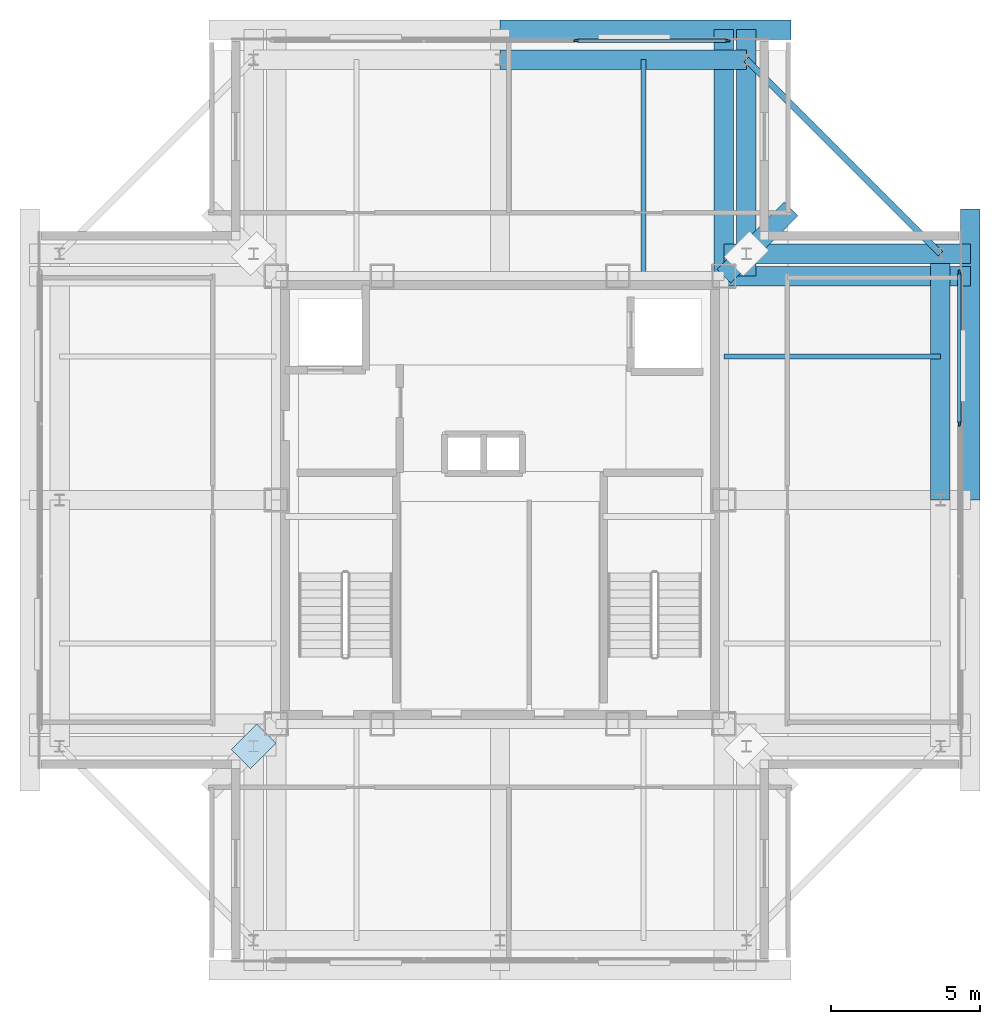
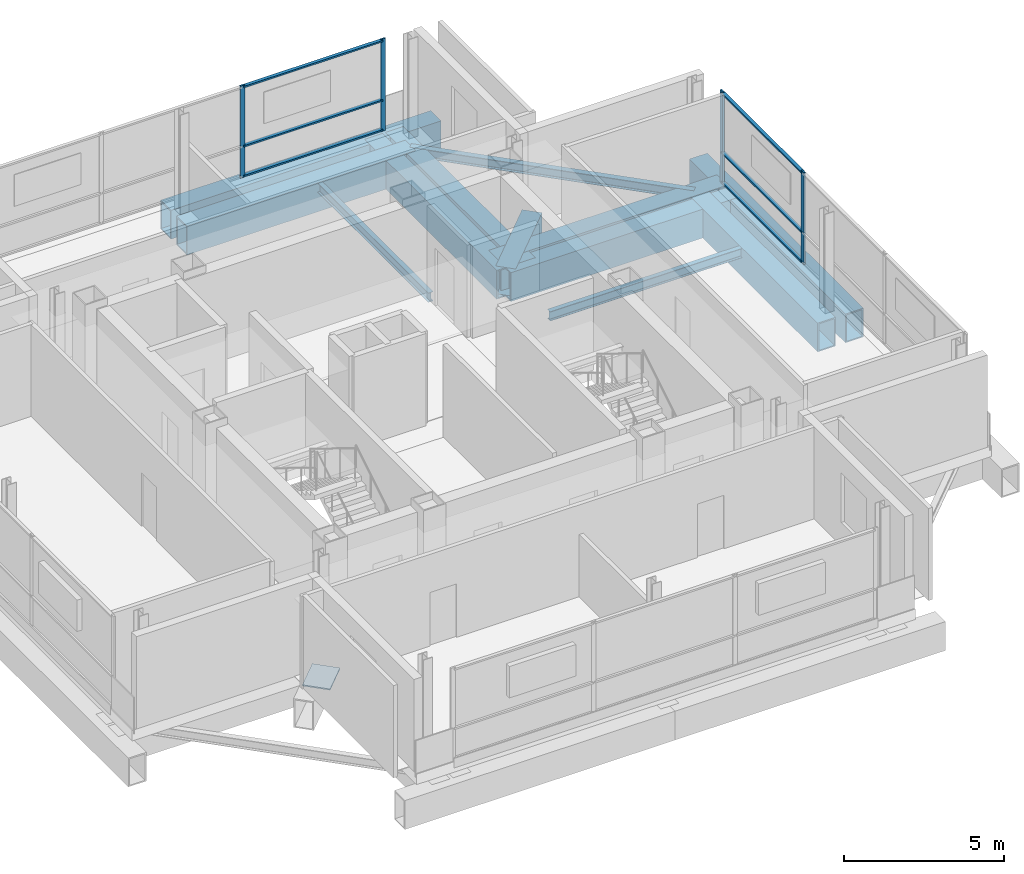
# One storey, part 5 of 10: 12 beams, 10 members, 1 plate, 2 elements without a shape of their own.
"""IFC4 building model written with IfcOpenShell, lengths in metres."""

from ifc_helpers import new_model, si_unit, direction, frame, origin, origin_2d, place, context, subcontext, project, spatial, rectangle, hollow_rectangle, i_section, extrude, material, layer, layer_set, material_profile, profile_set, type_object, element, aggregate, save


model = new_model("IFC4")

# Units and contexts
model_context = context("Model", 3, precision=1e-05, world=origin(), true_north=direction((0.0, 1.0)))
body_context = subcontext(model_context, "Body", "Model", "MODEL_VIEW")
ifc_project = project(units=[si_unit("LENGTHUNIT", "METRE"), si_unit("AREAUNIT", "SQUARE_METRE"), si_unit("VOLUMEUNIT", "CUBIC_METRE"), si_unit("PLANEANGLEUNIT", "RADIAN"), si_unit("MASSUNIT", "GRAM", prefix="KILO")], contexts=[model_context])

# Site, building, storey
site_placement = place(None, origin())
site = spatial("IfcSite", under=ifc_project, at=site_placement, CompositionType="ELEMENT")
building_placement = place(site_placement, origin())
building = spatial("IfcBuilding", under=site, at=building_placement, Name="Trevonay Congress Spire", CompositionType="ELEMENT")
storey_placement = place(building_placement, frame((0.0, 0.0, 316.0)))
storey = spatial("IfcBuildingStorey", under=building, at=storey_placement, Name="L83", CompositionType="ELEMENT", Elevation=316.0)

# Beams
ifc_material_1 = material(Name="Steel ASTM A572 Grade 50", Category="steel")
ifc_material_profile_1 = material_profile(ifc_material_1, hollow_rectangle(XDim=0.64990234375, YDim=1.10009765625, WallThickness=0.044921875, at=origin_2d()), Name="BOX 1100x650x45")
ifc_profile_set_1 = profile_set([ifc_material_profile_1], Name="Steel ASTM A572 Grade 50")
beam_type_1 = type_object("IfcBeamType", Name="BM-RING-BOX1100", PredefinedType="BEAM", material=ifc_profile_set_1)
for number, where, z_axis, x_axis, name in (
    (1, (0.0, 14.75, -0.949951171875), (1.0, 0.0, 0.0), (0.0, 1.0, 0.0), "L83 structural beam BM-L83-PN2"),
    (2, (14.75, 0.0, -0.949951171875), (0.0, 1.0, 0.0), (-1.0, 0.0, 0.0), "L83 structural beam BM-L83-PE2"),
):
    element("IfcBeam", number, at=place(storey_placement, frame(where, z_axis=z_axis, x_axis=x_axis)), inside=storey, type_object=beam_type_1, Name=name, PredefinedType="BEAM", context=body_context, shape_type="SweptSolid", body=[
        extrude(hollow_rectangle(XDim=0.64990234375, YDim=1.10009765625, WallThickness=0.044921875, at=origin_2d()), origin(), (0.0, 0.0, 1.0), 8.25),
    ])
for number, where, z_axis, x_axis, name in (
    (3, (0.0, 15.75, -0.949951171875), (1.0, 0.0, 0.0), (0.0, 1.0, 0.0), "L83 structural beam XOUT-L83-N1"),
    (4, (15.75, 0.0, -0.949951171875), (0.0, 1.0, 0.0), (-1.0, 0.0, 0.0), "L83 structural beam XOUT-L83-E1"),
):
    element("IfcBeam", number, at=place(storey_placement, frame(where, z_axis=z_axis, x_axis=x_axis)), inside=storey, type_object=beam_type_1, Name=name, PredefinedType="BEAM", context=body_context, shape_type="SweptSolid", body=[
        extrude(hollow_rectangle(XDim=0.64990234375, YDim=1.10009765625, WallThickness=0.044921875, at=origin_2d()), origin(), (0.0, 0.0, 1.0), 9.75),
    ])
ifc_material_profile_2 = material_profile(ifc_material_1, hollow_rectangle(XDim=0.64990234375, YDim=1.10009765625, WallThickness=0.044921875, at=origin_2d()), Name="BOX 1100x650x45")
ifc_profile_set_2 = profile_set([ifc_material_profile_2], Name="Steel ASTM A572 Grade 50")
beam_type_2 = type_object("IfcBeamType", Name="BM-XFER-BOX1100", PredefinedType="BEAM", material=ifc_profile_set_2)
beam_1_placement = place(storey_placement, frame((7.5, 7.5, -0.949951171875), z_axis=(0.707106781187, 0.707106781187, 0.0), x_axis=(-0.707106781187, 0.707106781187, 0.0)))
element("IfcBeam", 5, at=beam_1_placement, inside=storey, type_object=beam_type_2, Name="L83 structural beam BM-L83-CDNE", PredefinedType="BEAM", context=body_context, shape_type="SweptSolid", body=[
    extrude(hollow_rectangle(XDim=0.64990234375, YDim=1.10009765625, WallThickness=0.044921875, at=origin_2d()), origin(), (0.0, 0.0, 1.0), 3.181884765625),
])
for number, where, z_axis, x_axis, name in (
    (6, (7.5, 7.5, -0.949951171875), (1.0, 0.0, 0.0), (0.0, 1.0, 0.0), "L83 structural beam XSPN-L83-CX-NE"),
    (7, (7.5, 7.5, -0.949951171875), (0.0, 1.0, 0.0), (-1.0, 0.0, 0.0), "L83 structural beam XSPN-L83-CY-NE"),
    (8, (8.25, 7.5, -0.949951171875), (0.0, 1.0, 0.0), (-1.0, 0.0, 0.0), "L83 structural beam XFER-L83-N2"),
    (9, (7.5, 8.25, -0.949951171875), (1.0, 0.0, 0.0), (0.0, 1.0, 0.0), "L83 structural beam XFER-L83-E2"),
):
    element("IfcBeam", number, at=place(storey_placement, frame(where, z_axis=z_axis, x_axis=x_axis)), inside=storey, type_object=beam_type_2, Name=name, PredefinedType="BEAM", context=body_context, shape_type="SweptSolid", body=[
        extrude(hollow_rectangle(XDim=0.64990234375, YDim=1.10009765625, WallThickness=0.044921875, at=origin_2d()), origin(), (0.0, 0.0, 1.0), 8.25),
    ])

# Curtain wall, members
ifc_material_2 = material(Name="Pale Anodised Aluminium EN AW-6063-T6", Category="aluminium")
ifc_layer_1 = layer(ifc_material_2, 0.159912109375, Name="Pale Anodised Aluminium EN AW-6063-T6")
ifc_layer_set_1 = layer_set([ifc_layer_1], Name="Pale Anodised Aluminium EN AW-6063-T6")
curtain_wall_type = type_object("IfcCurtainWallType", Name="CW-SYS06-CROWN-PALE-METAL", PredefinedType="NOTDEFINED", material=ifc_layer_set_1)
curtain_wall_1_placement = place(storey_placement, origin())
curtain_wall_1 = element("IfcCurtainWall", 10, at=curtain_wall_1_placement, inside=storey, type_object=curtain_wall_type, Name="L83 N unitised curtain wall", PredefinedType="NOTDEFINED")
ifc_material_profile_3 = material_profile(ifc_material_2, rectangle(XDim=0.06005859375, YDim=0.159912109375, at=origin_2d()), Name="CW-MULLION-160-ALUMINIUM")
ifc_profile_set_3 = profile_set([ifc_material_profile_3], Name="Pale Anodised Aluminium EN AW-6063-T6")
member_type_1 = type_object("IfcMemberType", Name="CW-MULLION-160-ALUMINIUM", PredefinedType="MULLION", material=ifc_profile_set_3)
member_1_placement = place(storey_placement, frame((2.550048828125, 15.3798828125, 0.0), z_axis=(0.0, 0.0, 1.0), x_axis=(0.0, 1.0, 0.0)))
member_1 = element("IfcMember", 11, at=member_1_placement, type_object=member_type_1, Name="CW06 mullion 3", PredefinedType="MULLION", context=body_context, shape_type="SweptSolid", body=[
    extrude(rectangle(XDim=0.06005859375, YDim=0.159912109375, at=origin_2d()), origin(), (0.0, 0.0, 1.0), 3.52001953125),
])
member_2_placement = place(storey_placement, frame((7.6201171875, 15.3798828125, 0.0), z_axis=(0.0, 0.0, 1.0), x_axis=(0.0, 1.0, 0.0)))
member_2 = element("IfcMember", 12, at=member_2_placement, type_object=member_type_1, Name="CW06 mullion 4", PredefinedType="MULLION", context=body_context, shape_type="SweptSolid", body=[
    extrude(rectangle(XDim=0.06005859375, YDim=0.159912109375, at=origin_2d()), origin(), (0.0, 0.0, 1.0), 3.52001953125),
])

curtain_wall_2_placement = place(storey_placement, origin())
curtain_wall_2 = element("IfcCurtainWall", 13, at=curtain_wall_2_placement, inside=storey, type_object=curtain_wall_type, Name="L83 E unitised curtain wall", PredefinedType="NOTDEFINED")
member_3_placement = place(storey_placement, frame((15.3798828125, 2.550048828125, 0.0), z_axis=(0.0, 0.0, 1.0), x_axis=(-1.0, 0.0, 0.0)))
member_3 = element("IfcMember", 14, at=member_3_placement, type_object=member_type_1, Name="CW06 mullion 3", PredefinedType="MULLION", context=body_context, shape_type="SweptSolid", body=[
    extrude(rectangle(XDim=0.06005859375, YDim=0.159912109375, at=origin_2d()), origin(), (0.0, 0.0, 1.0), 3.52001953125),
])
member_4_placement = place(storey_placement, frame((15.3798828125, 7.6201171875, 0.0), z_axis=(0.0, 0.0, 1.0), x_axis=(-1.0, 0.0, 0.0)))
member_4 = element("IfcMember", 15, at=member_4_placement, type_object=member_type_1, Name="CW06 mullion 4", PredefinedType="MULLION", context=body_context, shape_type="SweptSolid", body=[
    extrude(rectangle(XDim=0.06005859375, YDim=0.159912109375, at=origin_2d()), origin(), (0.0, 0.0, 1.0), 3.52001953125),
])

# Member
ifc_material_profile_4 = material_profile(ifc_material_2, rectangle(XDim=0.1201171875, YDim=0.06005859375, at=origin_2d()), Name="CW-TRANSOM-120-ALUMINIUM")
ifc_profile_set_4 = profile_set([ifc_material_profile_4], Name="Pale Anodised Aluminium EN AW-6063-T6")
member_type_2 = type_object("IfcMemberType", Name="CW-TRANSOM-120-ALUMINIUM", PredefinedType="USERDEFINED", material=ifc_profile_set_4)
member_5_placement = place(storey_placement, frame((2.580078125, 15.3798828125, 0.06005859375), z_axis=(1.0, 0.0, 0.0), x_axis=(0.0, 1.0, 0.0)))
member_5 = element("IfcMember", 16, at=member_5_placement, type_object=member_type_2, Name="CW06 transom 3.1", ObjectType="TRANSOM", PredefinedType="USERDEFINED", context=body_context, shape_type="SweptSolid", body=[
    extrude(rectangle(XDim=0.1201171875, YDim=0.06005859375, at=origin_2d()), origin(), (0.0, 0.0, 1.0), 5.010009765625),
])

member_6_placement = place(storey_placement, frame((2.580078125, 15.3798828125, 1.19677734375), z_axis=(1.0, 0.0, 0.0), x_axis=(0.0, 1.0, 0.0)))
member_6 = element("IfcMember", 17, at=member_6_placement, type_object=member_type_2, Name="CW06 transom 3.2", ObjectType="TRANSOM", PredefinedType="USERDEFINED", context=body_context, shape_type="SweptSolid", body=[
    extrude(rectangle(XDim=0.1201171875, YDim=0.06005859375, at=origin_2d()), origin(), (0.0, 0.0, 1.0), 5.010009765625),
])

member_7_placement = place(storey_placement, frame((2.580078125, 15.3798828125, 3.4599609375), z_axis=(1.0, 0.0, 0.0), x_axis=(0.0, 1.0, 0.0)))
member_7 = element("IfcMember", 18, at=member_7_placement, type_object=member_type_2, Name="CW06 transom 3.3", ObjectType="TRANSOM", PredefinedType="USERDEFINED", context=body_context, shape_type="SweptSolid", body=[
    extrude(rectangle(XDim=0.1201171875, YDim=0.06005859375, at=origin_2d()), origin(), (0.0, 0.0, 1.0), 5.010009765625),
])

aggregate(curtain_wall_1, [member_1, member_2, member_5, member_6, member_7])

member_8_placement = place(storey_placement, frame((15.3798828125, 2.580078125, 0.06005859375), z_axis=(0.0, 1.0, 0.0), x_axis=(-1.0, 0.0, 0.0)))
member_8 = element("IfcMember", 19, at=member_8_placement, type_object=member_type_2, Name="CW06 transom 3.1", ObjectType="TRANSOM", PredefinedType="USERDEFINED", context=body_context, shape_type="SweptSolid", body=[
    extrude(rectangle(XDim=0.1201171875, YDim=0.06005859375, at=origin_2d()), origin(), (0.0, 0.0, 1.0), 5.010009765625),
])

member_9_placement = place(storey_placement, frame((15.3798828125, 2.580078125, 1.19677734375), z_axis=(0.0, 1.0, 0.0), x_axis=(-1.0, 0.0, 0.0)))
member_9 = element("IfcMember", 20, at=member_9_placement, type_object=member_type_2, Name="CW06 transom 3.2", ObjectType="TRANSOM", PredefinedType="USERDEFINED", context=body_context, shape_type="SweptSolid", body=[
    extrude(rectangle(XDim=0.1201171875, YDim=0.06005859375, at=origin_2d()), origin(), (0.0, 0.0, 1.0), 5.010009765625),
])

member_10_placement = place(storey_placement, frame((15.3798828125, 2.580078125, 3.4599609375), z_axis=(0.0, 1.0, 0.0), x_axis=(-1.0, 0.0, 0.0)))
member_10 = element("IfcMember", 21, at=member_10_placement, type_object=member_type_2, Name="CW06 transom 3.3", ObjectType="TRANSOM", PredefinedType="USERDEFINED", context=body_context, shape_type="SweptSolid", body=[
    extrude(rectangle(XDim=0.1201171875, YDim=0.06005859375, at=origin_2d()), origin(), (0.0, 0.0, 1.0), 5.010009765625),
])

aggregate(curtain_wall_2, [member_3, member_4, member_8, member_9, member_10])

# Beams
ifc_material_profile_5 = material_profile(ifc_material_1, i_section(OverallWidth=0.172119140625, OverallDepth=0.35791015625, WebThickness=0.0078125, FlangeThickness=0.01318359375, FilletRadius=0.011962890625, at=origin_2d()), Name="W360x57.8")
ifc_profile_set_5 = profile_set([ifc_material_profile_5], Name="Steel ASTM A572 Grade 50")
beam_type_3 = type_object("IfcBeamType", Name="JS-COMP-W360X57", PredefinedType="JOIST", material=ifc_profile_set_5)
for number, where, z_axis, x_axis, name in (
    (22, (4.800048828125, 7.5, -0.5791015625), (0.0, 1.0, 0.0), (-1.0, 0.0, 0.0), "L83 structural beam JS-L83-NS-N3"),
    (23, (7.5, 4.800048828125, -0.5791015625), (1.0, 0.0, 0.0), (0.0, 1.0, 0.0), "L83 structural beam JS-L83-EW-E3"),
):
    element("IfcBeam", number, at=place(storey_placement, frame(where, z_axis=z_axis, x_axis=x_axis)), inside=storey, type_object=beam_type_3, Name=name, PredefinedType="JOIST", context=body_context, shape_type="SweptSolid", body=[
        extrude(i_section(OverallWidth=0.172119140625, OverallDepth=0.35791015625, WebThickness=0.0078125, FlangeThickness=0.01318359375, FilletRadius=0.011962890625, at=origin_2d()), origin(), (0.0, 0.0, 1.0), 7.25),
    ])
ifc_material_profile_6 = material_profile(ifc_material_1, i_section(OverallWidth=0.205078125, OverallDepth=0.35400390625, WebThickness=0.009521484375, FlangeThickness=0.016845703125, FilletRadius=0.011962890625, at=origin_2d()), Name="W360x79")
ifc_profile_set_6 = profile_set([ifc_material_profile_6], Name="Steel ASTM A572 Grade 50")
beam_type_4 = type_object("IfcBeamType", Name="SPB-HSS350", PredefinedType="SPANDREL", material=ifc_profile_set_6)
beam_2_placement = place(storey_placement, frame((8.25, 14.75, -0.576904296875), z_axis=(0.707106781187, -0.707106781187, 0.0), x_axis=(0.707106781187, 0.707106781187, 0.0)))
element("IfcBeam", 24, at=beam_2_placement, inside=storey, type_object=beam_type_4, Name="L83 structural beam SPB-L83-NE", PredefinedType="SPANDREL", context=body_context, shape_type="SweptSolid", body=[
    extrude(i_section(OverallWidth=0.205078125, OverallDepth=0.35400390625, WebThickness=0.009521484375, FlangeThickness=0.016845703125, FilletRadius=0.011962890625, at=origin_2d()), origin(), (0.0, 0.0, 1.0), 9.1923828125),
])

# Plate
ifc_layer_2 = layer(ifc_material_1, 0.044921875, Name="Steel ASTM A572 Grade 50")
ifc_layer_set_2 = layer_set([ifc_layer_2], Name="Steel ASTM A572 Grade 50")
plate_type = type_object("IfcPlateType", Name="PLT-GUSSET-INT-45", PredefinedType="USERDEFINED", material=ifc_layer_set_2)
plate_placement = place(storey_placement, frame((-8.25, -8.25, -0.972412109375), z_axis=(0.0, 0.0, 1.0), x_axis=(0.707106781187, 0.707106781187, 0.0)))
element("IfcPlate", 25, at=plate_placement, inside=storey, type_object=plate_type, Name="L83 setback column transfer gusset plate KN-01 (SW)", ObjectType="GUSSET_PLATE", PredefinedType="USERDEFINED", context=body_context, shape_type="SweptSolid", body=[
    extrude(rectangle(XDim=1.199951171875, YDim=0.89990234375, at=origin_2d()), origin(), (0.0, 0.0, 1.0), 0.044921875),
])

save(model, "model.ifc")
